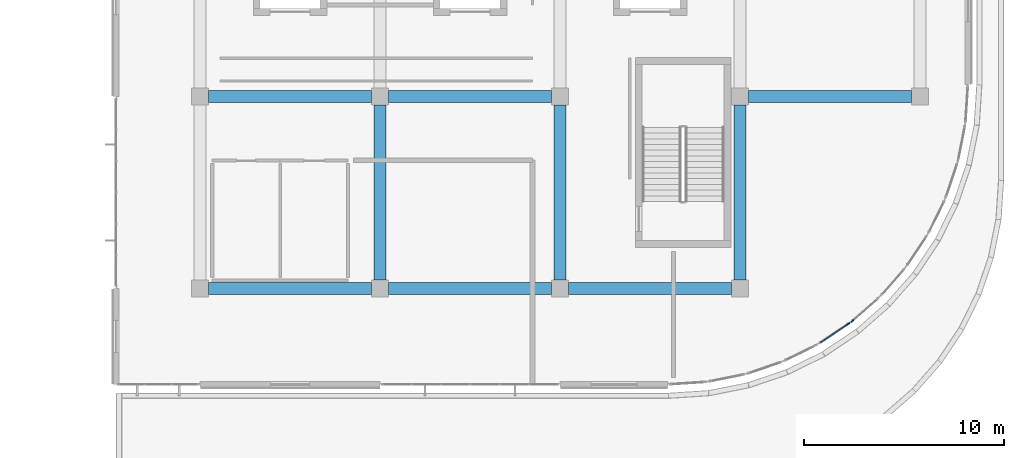
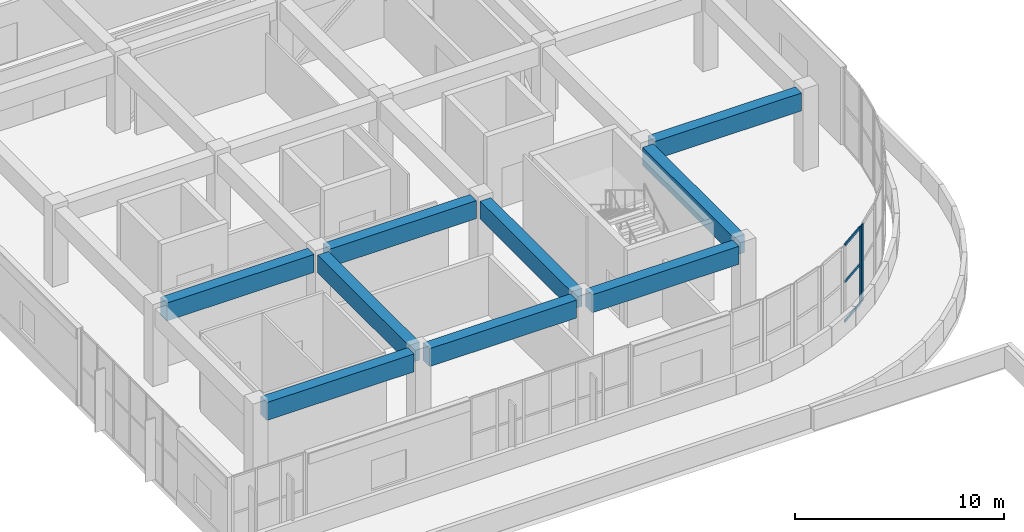
# One storey, part 21 of 67: 9 beams, 5 members, 2 elements without a shape of their own.
"""IFC4 building model written with IfcOpenShell, lengths in metres."""

from ifc_helpers import new_model, si_unit, direction, frame, origin, origin_2d, place, context, subcontext, project, spatial, rectangle, extrude, material, layer, layer_set, material_profile, profile_set, type_object, element, aggregate, save


model = new_model("IFC4")

# Units and contexts
model_context = context("Model", 3, precision=1e-05, world=origin(), true_north=direction((0.0, 1.0)))
body_context = subcontext(model_context, "Body", "Model", "MODEL_VIEW")
ifc_project = project(units=[si_unit("LENGTHUNIT", "METRE"), si_unit("AREAUNIT", "SQUARE_METRE"), si_unit("VOLUMEUNIT", "CUBIC_METRE"), si_unit("PLANEANGLEUNIT", "RADIAN"), si_unit("MASSUNIT", "GRAM", prefix="KILO")], contexts=[model_context])

# Site, building, storey
site_placement = place(None, origin())
site = spatial("IfcSite", under=ifc_project, at=site_placement, CompositionType="ELEMENT")
building_placement = place(site_placement, origin())
building = spatial("IfcBuilding", under=site, at=building_placement, Name="Cendralis Terraced Arcade", CompositionType="ELEMENT")
storey_placement = place(building_placement, frame((0.0, 0.0, 15.0)))
storey = spatial("IfcBuildingStorey", under=building, at=storey_placement, Name="L03", CompositionType="ELEMENT", Elevation=15.0)

# Beams
ifc_material_1 = material(Name="Concrete f'c 35 MPa", Category="concrete")
ifc_material_profile_1 = material_profile(ifc_material_1, rectangle(XDim=0.60009765625, YDim=1.050048828125, at=origin_2d()), Name="RC-BM-600x1050", Category="LoadBearing")
ifc_profile_set_1 = profile_set([ifc_material_profile_1], Name="Concrete f'c 35 MPa")
beam_type = type_object("IfcBeamType", Name="BM-600x1050", PredefinedType="JOIST", material=ifc_profile_set_1)
for number, where, z_axis, x_axis, name in (
    (1, (130.625, 69.60009765625, 3.9951171875), (1.0, 0.0, 0.0), (0.0, 1.0, 0.0), "Reinforced Concrete Frame Beam BM-X-L04-H-15_16"),
    (2, (139.625, 69.60009765625, 3.9951171875), (1.0, 0.0, 0.0), (0.0, 1.0, 0.0), "Reinforced Concrete Frame Beam BM-X-L04-H-16_17"),
    (3, (148.625, 69.60009765625, 3.9951171875), (1.0, 0.0, 0.0), (0.0, 1.0, 0.0), "Reinforced Concrete Frame Beam BM-X-L04-H-17_18"),
    (4, (130.625, 79.199951171875, 3.9951171875), (1.0, 0.0, 0.0), (0.0, 1.0, 0.0), "Reinforced Concrete Frame Beam BM-X-L04-J-15_16"),
    (5, (139.625, 79.199951171875, 3.9951171875), (1.0, 0.0, 0.0), (0.0, 1.0, 0.0), "Reinforced Concrete Frame Beam BM-X-L04-J-16_17"),
    (6, (157.625, 79.199951171875, 3.9951171875), (1.0, 0.0, 0.0), (0.0, 1.0, 0.0), "Reinforced Concrete Frame Beam BM-X-L04-J-18_19"),
):
    element("IfcBeam", number, at=place(storey_placement, frame(where, z_axis=z_axis, x_axis=x_axis)), inside=storey, type_object=beam_type, Name=name, PredefinedType="JOIST", context=body_context, shape_type="SweptSolid", body=[
        extrude(rectangle(XDim=0.60009765625, YDim=1.050048828125, at=origin_2d()), origin(), (0.0, 0.0, 1.0), 8.14990234375),
    ])
for number, where, z_axis, x_axis, name in (
    (7, (139.199951171875, 70.02490234375, 3.9951171875), (0.0, 1.0, 0.0), (-1.0, 0.0, 0.0), "Reinforced Concrete Frame Beam BM-Y-L04-16-H_J"),
    (8, (148.199951171875, 70.02490234375, 3.9951171875), (0.0, 1.0, 0.0), (-1.0, 0.0, 0.0), "Reinforced Concrete Frame Beam BM-Y-L04-17-H_J"),
    (9, (157.199951171875, 70.02490234375, 3.9951171875), (0.0, 1.0, 0.0), (-1.0, 0.0, 0.0), "Reinforced Concrete Frame Beam BM-Y-L04-18-H_J"),
):
    element("IfcBeam", number, at=place(storey_placement, frame(where, z_axis=z_axis, x_axis=x_axis)), inside=storey, type_object=beam_type, Name=name, PredefinedType="JOIST", context=body_context, shape_type="SweptSolid", body=[
        extrude(rectangle(XDim=0.60009765625, YDim=1.050048828125, at=origin_2d()), origin(), (0.0, 0.0, 1.0), 8.75),
    ])

# Curtain wall, member
ifc_material_2 = material(Name="Anodised aluminium EN AW-6063 T6", Category="aluminium")
ifc_layer = layer(ifc_material_2, 0.179931640625, Name="CW-UNIT-A")
ifc_layer_set = layer_set([ifc_layer], Name="Anodised aluminium EN AW-6063 T6")
curtain_wall_type = type_object("IfcCurtainWallType", Name="CW-UNIT-A", PredefinedType="USERDEFINED", material=ifc_layer_set)
curtain_wall_1_placement = place(storey_placement, origin())
curtain_wall_1 = element("IfcCurtainWall", 10, at=curtain_wall_1_placement, inside=storey, type_object=curtain_wall_type, Name="Exterior Unitised Facade CW-L03-0245", ObjectType="UNITISED FACADE", PredefinedType="USERDEFINED")
ifc_material_profile_2 = material_profile(ifc_material_2, rectangle(XDim=0.06494140625, YDim=0.179931640625, at=origin_2d()), Name="ALU-MUL-65x180")
ifc_profile_set_2 = profile_set([ifc_material_profile_2], Name="Anodised aluminium EN AW-6063 T6")
member_type_1 = type_object("IfcMemberType", Name="CW-UNIT-A-MUL", PredefinedType="MULLION", material=ifc_profile_set_2)
member_1_placement = place(storey_placement, frame((162.823486328125, 67.98046875, 0.0), z_axis=(0.0, 0.0, 1.0), x_axis=(0.659386076266, -0.751804497477, 0.0)))
member_1 = element("IfcMember", 11, at=member_1_placement, type_object=member_type_1, Name="CW-U1 mullion 2", PredefinedType="MULLION", context=body_context, shape_type="SweptSolid", body=[
    extrude(rectangle(XDim=0.06494140625, YDim=0.179931640625, at=origin_2d()), origin(), (0.0, 0.0, 1.0), 4.52001953125),
])
aggregate(curtain_wall_1, [member_1])

# Curtain wall, members
curtain_wall_2_placement = place(storey_placement, origin())
curtain_wall_2 = element("IfcCurtainWall", 12, at=curtain_wall_2_placement, inside=storey, type_object=curtain_wall_type, Name="Exterior Unitised Facade CW-L03-0246", ObjectType="UNITISED FACADE", PredefinedType="USERDEFINED")
member_2_placement = place(storey_placement, frame((162.629638671875, 67.83154296875, 0.0), z_axis=(0.0, 0.0, 1.0), x_axis=(0.555567476528, -0.831471454125, 0.0)))
member_2 = element("IfcMember", 13, at=member_2_placement, type_object=member_type_1, Name="CW-U1 mullion 1", PredefinedType="MULLION", context=body_context, shape_type="SweptSolid", body=[
    extrude(rectangle(XDim=0.06494140625, YDim=0.179931640625, at=origin_2d()), origin(), (0.0, 0.0, 1.0), 4.52001953125),
])
ifc_material_profile_3 = material_profile(ifc_material_2, rectangle(XDim=0.06494140625, YDim=0.14990234375, at=origin_2d()), Name="ALU-TRN-65x150")
ifc_profile_set_3 = profile_set([ifc_material_profile_3], Name="Anodised aluminium EN AW-6063 T6")
member_type_2 = type_object("IfcMemberType", Name="CW-UNIT-A-TRN", PredefinedType="USERDEFINED", material=ifc_profile_set_3)
member_3_placement = place(storey_placement, frame((162.6025390625, 67.8134765625, 0.032470703125), z_axis=(-0.83152703032, -0.555484291269, 0.0), x_axis=(0.555484291269, -0.83152703032, 0.0)))
member_3 = element("IfcMember", 14, at=member_3_placement, type_object=member_type_2, Name="CW-U1 transom 1.1", ObjectType="TRANSOM", PredefinedType="USERDEFINED", context=body_context, shape_type="SweptSolid", body=[
    extrude(rectangle(XDim=0.06494140625, YDim=0.14990234375, at=origin_2d()), origin(), (0.0, 0.0, 1.0), 1.652099609375),
])
member_4_placement = place(storey_placement, frame((162.6025390625, 67.8134765625, 2.350341796875), z_axis=(-0.83152703032, -0.555484291269, 0.0), x_axis=(0.555484291269, -0.83152703032, 0.0)))
member_4 = element("IfcMember", 15, at=member_4_placement, type_object=member_type_2, Name="CW-U1 transom 1.2", ObjectType="TRANSOM", PredefinedType="USERDEFINED", context=body_context, shape_type="SweptSolid", body=[
    extrude(rectangle(XDim=0.06494140625, YDim=0.14990234375, at=origin_2d()), origin(), (0.0, 0.0, 1.0), 1.652099609375),
])
member_5_placement = place(storey_placement, frame((162.6025390625, 67.8134765625, 4.487548828125), z_axis=(-0.83152703032, -0.555484291269, 0.0), x_axis=(0.555484291269, -0.83152703032, 0.0)))
member_5 = element("IfcMember", 16, at=member_5_placement, type_object=member_type_2, Name="CW-U1 transom 1.3", ObjectType="TRANSOM", PredefinedType="USERDEFINED", context=body_context, shape_type="SweptSolid", body=[
    extrude(rectangle(XDim=0.06494140625, YDim=0.14990234375, at=origin_2d()), origin(), (0.0, 0.0, 1.0), 1.652099609375),
])
aggregate(curtain_wall_2, [member_2, member_3, member_4, member_5])

save(model, "model.ifc")
